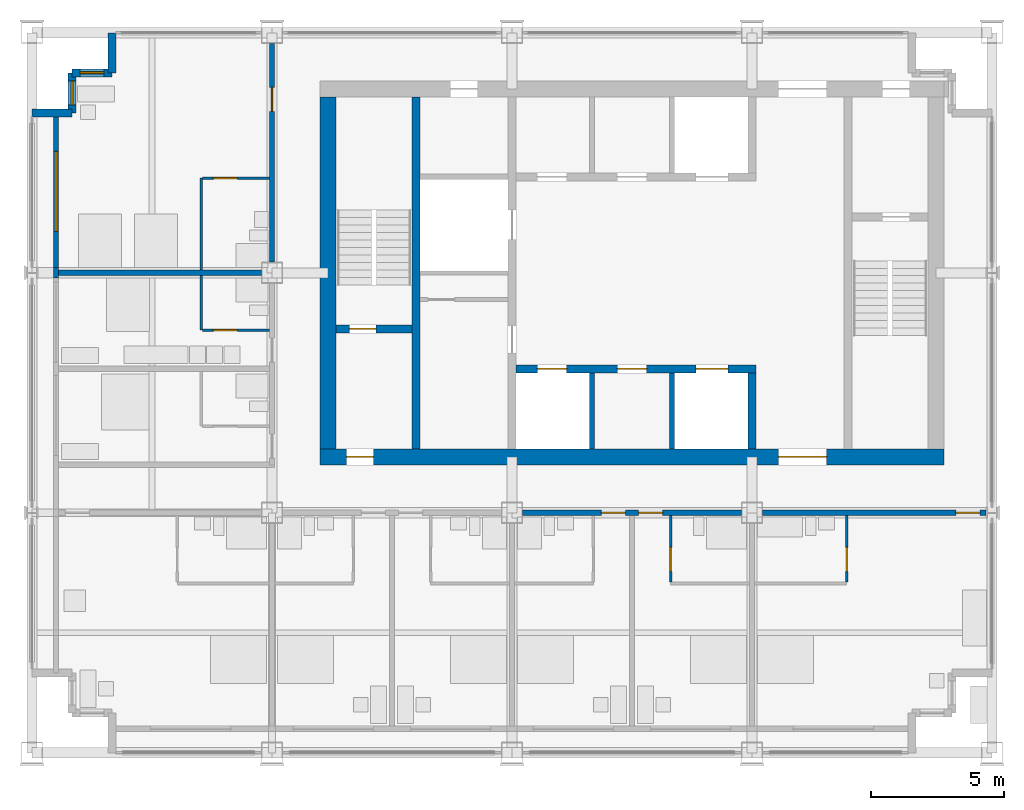
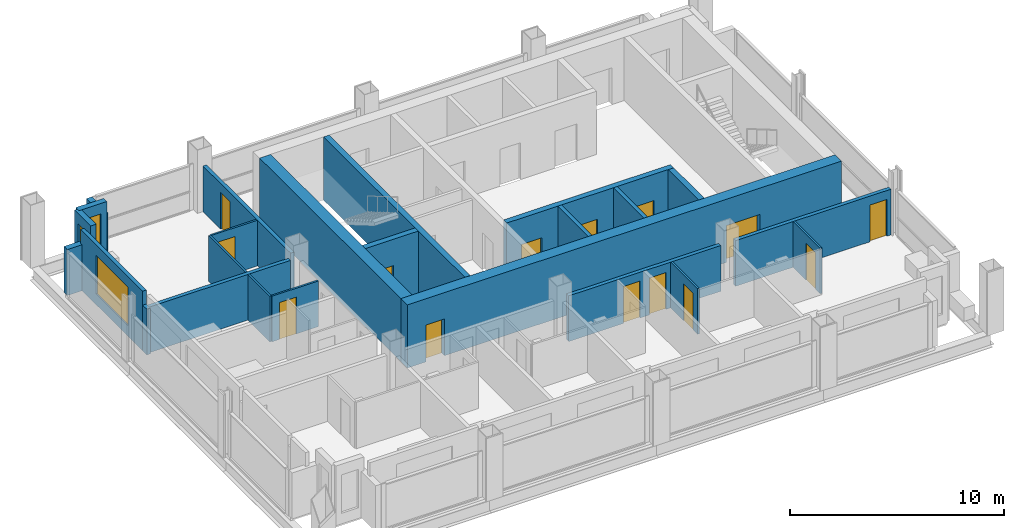
# One storey, part 7 of 12: 24 walls, 14 doors, 3 windows, 17 openings.
"""IFC4 building model written with IfcOpenShell, lengths in metres."""

from ifc_helpers import new_model, si_unit, direction, frame, frame_2d, origin, place, context, subcontext, project, spatial, rectangle, extrude, material, layer, layer_set, type_object, element, fill, save


model = new_model("IFC4")

# Units and contexts
model_context = context("Model", 3, precision=1e-05, world=origin(), true_north=direction((0.0, 1.0)))
body_context = subcontext(model_context, "Body", "Model", "MODEL_VIEW")
ifc_project = project(units=[si_unit("LENGTHUNIT", "METRE"), si_unit("AREAUNIT", "SQUARE_METRE"), si_unit("VOLUMEUNIT", "CUBIC_METRE"), si_unit("PLANEANGLEUNIT", "RADIAN"), si_unit("MASSUNIT", "GRAM", prefix="KILO")], contexts=[model_context])

# Site, building, storey
site_placement = place(None, origin())
site = spatial("IfcSite", under=ifc_project, at=site_placement, CompositionType="ELEMENT")
building_placement = place(site_placement, origin())
building = spatial("IfcBuilding", under=site, at=building_placement, Name="Loomwork Tower", CompositionType="ELEMENT")
storey_placement = place(building_placement, frame((0.0, 0.0, 255.39990234375)))
storey = spatial("IfcBuildingStorey", under=building, at=storey_placement, Name="L70", CompositionType="ELEMENT", Elevation=255.39990234375)

# Wall
ifc_material_1 = material(Name="Concrete 14000 psi (97 MPa)", Category="concrete")
ifc_layer_1 = layer(ifc_material_1, 0.300048828125)
ifc_layer_set_1 = layer_set([ifc_layer_1], Name="Core shear wall 300")
wall_type_1 = type_object("IfcWallType", Name="Core shear wall 300", PredefinedType="SHEAR", material=ifc_layer_set_1)
wall_1_placement = place(storey_placement, frame((14.39990234375, 11.39990234375, 0.0), z_axis=(0.0, 0.0, 1.0), x_axis=(0.0, 1.0, 0.0)))
element("IfcWall", 1, at=wall_1_placement, inside=storey, type_object=wall_type_1, Name="Stair A east wall L70", PredefinedType="SHEAR", context=body_context, shape_type="SweptSolid", body=[
    extrude(rectangle(XDim=13.2001953125, YDim=0.300048828125, at=frame_2d((6.60009765625, 0.0))), origin(), (0.0, 0.0, 1.0), 3.60009765625),
])

# Wall, opening, door
wall_2_placement = place(storey_placement, frame((11.39990234375, 15.89990234375, 0.0), z_axis=(0.0, 0.0, 1.0), x_axis=(1.0, 0.0, 0.0)))
wall_2 = element("IfcWall", 2, at=wall_2_placement, inside=storey, type_object=wall_type_1, Name="Stair A south wall L70", PredefinedType="SHEAR", context=body_context, shape_type="SweptSolid", body=[
    extrude(rectangle(XDim=2.85009765625, YDim=0.300048828125, at=frame_2d((1.425048828125, 0.0))), origin(), (0.0, 0.0, 1.0), 3.60009765625),
])
opening_1_placement = place(wall_2_placement, frame((0.5, 0.0, 0.0)))
opening_1 = element("IfcOpeningElement", 3, at=opening_1_placement, cuts=wall_2, Name="Opening D4", PredefinedType="OPENING", context=body_context, shape_type="SweptSolid", body=[
    extrude(rectangle(XDim=1.0, YDim=2.10009765625, at=frame_2d((0.5, 1.050048828125))), frame((0.0, 0.159912109375, 0.0), z_axis=(0.0, -1.0, 0.0), x_axis=(1.0, 0.0, 0.0)), (0.0, 0.0, 1.0), 0.320068359375),
])
ifc_material_2 = material(Name="Hollow metal door and frame")
door_type_1 = type_object("IfcDoorType", Name="Stair door 1000", OperationType="SINGLE_SWING_RIGHT", PredefinedType="DOOR", material=ifc_material_2)
door_1_placement = place(opening_1_placement, origin())
door_1 = element("IfcDoor", 4, at=door_1_placement, inside=storey, type_object=door_type_1, Name="Stair A door", OperationType="SINGLE_SWING_LEFT", OverallHeight=2.10009765625, OverallWidth=1.0, PredefinedType="DOOR", context=body_context, shape_type="SweptSolid", body=[
    extrude(rectangle(XDim=1.0, YDim=2.10009765625, at=frame_2d((0.5, 1.050048828125))), frame((0.0, 0.02490234375, 0.0), z_axis=(0.0, -1.0, 0.0), x_axis=(1.0, 0.0, 0.0)), (0.0, 0.0, 1.0), 0.050048828125),
])
fill(opening_1, door_1)

# Wall, openings, doors
wall_3_placement = place(storey_placement, frame((18.14990234375, 14.39990234375, 0.0), z_axis=(0.0, 0.0, 1.0), x_axis=(1.0, 0.0, 0.0)))
wall_3 = element("IfcWall", 5, at=wall_3_placement, inside=storey, type_object=wall_type_1, Name="Lift front wall south L70", PredefinedType="SHEAR", context=body_context, shape_type="SweptSolid", body=[
    extrude(rectangle(XDim=9.0, YDim=0.300048828125, at=frame_2d((4.5, 0.0))), origin(), (0.0, 0.0, 1.0), 3.60009765625),
])
opening_2_placement = place(wall_3_placement, frame((0.800048828125, 0.0, 0.0)))
opening_2 = element("IfcOpeningElement", 6, at=opening_2_placement, cuts=wall_3, Name="Opening LD1", PredefinedType="OPENING", context=body_context, shape_type="SweptSolid", body=[
    extrude(rectangle(XDim=1.10009765625, YDim=2.10009765625, at=frame_2d((0.550048828125, 1.050048828125))), frame((0.0, 0.159912109375, 0.0), z_axis=(0.0, -1.0, 0.0), x_axis=(1.0, 0.0, 0.0)), (0.0, 0.0, 1.0), 0.320068359375),
])
opening_3_placement = place(wall_3_placement, frame((6.75, 0.0, 0.0)))
opening_3 = element("IfcOpeningElement", 7, at=opening_3_placement, cuts=wall_3, Name="Opening LD2", PredefinedType="OPENING", context=body_context, shape_type="SweptSolid", body=[
    extrude(rectangle(XDim=1.199951171875, YDim=2.10009765625, at=frame_2d((0.60009765625, 1.050048828125))), frame((0.0, 0.159912109375, 0.0), z_axis=(0.0, -1.0, 0.0), x_axis=(1.0, 0.0, 0.0)), (0.0, 0.0, 1.0), 0.320068359375),
])
opening_4_placement = place(wall_3_placement, frame((3.800048828125, 0.0, 0.0)))
opening_4 = element("IfcOpeningElement", 8, at=opening_4_placement, cuts=wall_3, Name="Opening D17", PredefinedType="OPENING", context=body_context, shape_type="SweptSolid", body=[
    extrude(rectangle(XDim=1.10009765625, YDim=2.10009765625, at=frame_2d((0.550048828125, 1.050048828125))), frame((0.0, 0.159912109375, 0.0), z_axis=(0.0, -1.0, 0.0), x_axis=(1.0, 0.0, 0.0)), (0.0, 0.0, 1.0), 0.320068359375),
])
ifc_material_3 = material(Name="Hollow metal door and frame")
door_type_2 = type_object("IfcDoorType", Name="Lift landing door 1100", OperationType="SLIDING_TO_LEFT", PredefinedType="DOOR", material=ifc_material_3)
door_2_placement = place(opening_2_placement, origin())
door_2 = element("IfcDoor", 9, at=door_2_placement, inside=storey, type_object=door_type_2, Name="Lift landing door LC1", OperationType="SLIDING_TO_LEFT", OverallHeight=2.10009765625, OverallWidth=1.10009765625, PredefinedType="DOOR", context=body_context, shape_type="SweptSolid", body=[
    extrude(rectangle(XDim=1.10009765625, YDim=2.10009765625, at=frame_2d((0.550048828125, 1.050048828125))), frame((0.0, 0.02490234375, 0.0), z_axis=(0.0, -1.0, 0.0), x_axis=(1.0, 0.0, 0.0)), (0.0, 0.0, 1.0), 0.050048828125),
])
fill(opening_2, door_2)
ifc_material_4 = material(Name="Hollow metal door and frame")
door_type_3 = type_object("IfcDoorType", Name="Lift landing door 1200", OperationType="SLIDING_TO_LEFT", PredefinedType="DOOR", material=ifc_material_4)
door_3_placement = place(opening_3_placement, origin())
door_3 = element("IfcDoor", 10, at=door_3_placement, inside=storey, type_object=door_type_3, Name="Lift landing door LF1", OperationType="SLIDING_TO_LEFT", OverallHeight=2.10009765625, OverallWidth=1.199951171875, PredefinedType="DOOR", context=body_context, shape_type="SweptSolid", body=[
    extrude(rectangle(XDim=1.199951171875, YDim=2.10009765625, at=frame_2d((0.60009765625, 1.050048828125))), frame((0.0, 0.02490234375, 0.0), z_axis=(0.0, -1.0, 0.0), x_axis=(1.0, 0.0, 0.0)), (0.0, 0.0, 1.0), 0.050048828125),
])
fill(opening_3, door_3)
ifc_material_5 = material(Name="Hollow metal door and frame")
door_type_4 = type_object("IfcDoorType", Name="Service room door 1100", OperationType="SINGLE_SWING_LEFT", PredefinedType="DOOR", material=ifc_material_5)
door_4_placement = place(opening_4_placement, frame((1.10009765625, 0.0, 0.0), z_axis=(0.0, 0.0, 1.0), x_axis=(-1.0, 0.0, 0.0)))
door_4 = element("IfcDoor", 11, at=door_4_placement, inside=storey, type_object=door_type_4, Name="Guest pantry, ice and vending door L70", OperationType="SINGLE_SWING_RIGHT", OverallHeight=2.10009765625, OverallWidth=1.10009765625, PredefinedType="DOOR", context=body_context, shape_type="SweptSolid", body=[
    extrude(rectangle(XDim=1.10009765625, YDim=2.10009765625, at=frame_2d((0.550048828125, 1.050048828125))), frame((0.0, 0.02490234375, 0.0), z_axis=(0.0, -1.0, 0.0), x_axis=(1.0, 0.0, 0.0)), (0.0, 0.0, 1.0), 0.050048828125),
])
fill(opening_4, door_4)

# Wall
wall_4_placement = place(storey_placement, frame((27.0, 11.39990234375, 0.0), z_axis=(0.0, 0.0, 1.0), x_axis=(0.0, 1.0, 0.0)))
element("IfcWall", 12, at=wall_4_placement, inside=storey, type_object=wall_type_1, Name="Lift shaft end wall south L70", PredefinedType="SHEAR", context=body_context, shape_type="SweptSolid", body=[
    extrude(rectangle(XDim=2.85009765625, YDim=0.300048828125, at=frame_2d((1.425048828125, 0.0))), origin(), (0.0, 0.0, 1.0), 3.60009765625),
])

# Wall, openings, doors
ifc_material_6 = material(Name="Concrete 14000 psi (97 MPa)", Category="concrete")
ifc_layer_2 = layer(ifc_material_6, 0.60009765625)
ifc_layer_set_2 = layer_set([ifc_layer_2], Name="Core shear wall 600")
wall_type_2 = type_object("IfcWallType", Name="Core shear wall 600", PredefinedType="SHEAR", material=ifc_layer_set_2)
wall_5_placement = place(storey_placement, frame((10.800048828125, 11.10009765625, 0.0), z_axis=(0.0, 0.0, 1.0), x_axis=(1.0, 0.0, 0.0)))
wall_5 = element("IfcWall", 13, at=wall_5_placement, inside=storey, type_object=wall_type_2, Name="Core wall south L70", PredefinedType="SHEAR", context=body_context, shape_type="SweptSolid", body=[
    extrude(rectangle(XDim=23.39990234375, YDim=0.60009765625, at=frame_2d((11.699951171875, 0.0))), origin(), (0.0, 0.0, 1.0), 3.60009765625),
])
opening_5_placement = place(wall_5_placement, frame((1.0, 0.0, 0.0)))
opening_5 = element("IfcOpeningElement", 14, at=opening_5_placement, cuts=wall_5, Name="Opening D4", PredefinedType="OPENING", context=body_context, shape_type="SweptSolid", body=[
    extrude(rectangle(XDim=1.0, YDim=2.10009765625, at=frame_2d((0.5, 1.050048828125))), frame((0.0, 0.31005859375, 0.0), z_axis=(0.0, -1.0, 0.0), x_axis=(1.0, 0.0, 0.0)), (0.0, 0.0, 1.0), 0.6201171875),
])
opening_6_placement = place(wall_5_placement, frame((17.199951171875, 0.0, 0.0)))
opening_6 = element("IfcOpeningElement", 15, at=opening_6_placement, cuts=wall_5, Name="Opening D6", PredefinedType="OPENING", context=body_context, shape_type="SweptSolid", body=[
    extrude(rectangle(XDim=1.800048828125, YDim=2.10009765625, at=frame_2d((0.89990234375, 1.050048828125))), frame((0.0, 0.31005859375, 0.0), z_axis=(0.0, -1.0, 0.0), x_axis=(1.0, 0.0, 0.0)), (0.0, 0.0, 1.0), 0.6201171875),
])
ifc_material_7 = material(Name="Hollow metal door and frame")
door_type_5 = type_object("IfcDoorType", Name="Lobby passage double door 1800", OperationType="DOUBLE_DOOR_SINGLE_SWING", PredefinedType="DOOR", material=ifc_material_7)
door_5_placement = place(opening_6_placement, origin())
door_5 = element("IfcDoor", 16, at=door_5_placement, inside=storey, type_object=door_type_5, Name="Lobby passage door south", OperationType="DOUBLE_DOOR_SINGLE_SWING", OverallHeight=2.10009765625, OverallWidth=1.800048828125, PredefinedType="DOOR", context=body_context, shape_type="SweptSolid", body=[
    extrude(rectangle(XDim=1.800048828125, YDim=2.10009765625, at=frame_2d((0.89990234375, 1.050048828125))), frame((0.0, 0.02490234375, 0.0), z_axis=(0.0, -1.0, 0.0), x_axis=(1.0, 0.0, 0.0)), (0.0, 0.0, 1.0), 0.050048828125),
])
fill(opening_6, door_5)
door_6_placement = place(opening_5_placement, origin())
door_6 = element("IfcDoor", 17, at=door_6_placement, inside=storey, type_object=door_type_1, Name="Stair A vestibule door", OperationType="SINGLE_SWING_LEFT", OverallHeight=2.10009765625, OverallWidth=1.0, PredefinedType="DOOR", context=body_context, shape_type="SweptSolid", body=[
    extrude(rectangle(XDim=1.0, YDim=2.10009765625, at=frame_2d((0.5, 1.050048828125))), frame((0.0, 0.02490234375, 0.0), z_axis=(0.0, -1.0, 0.0), x_axis=(1.0, 0.0, 0.0)), (0.0, 0.0, 1.0), 0.050048828125),
])
fill(opening_5, door_6)

# Wall
wall_6_placement = place(storey_placement, frame((11.10009765625, 11.39990234375, 0.0), z_axis=(0.0, 0.0, 1.0), x_axis=(0.0, 1.0, 0.0)))
element("IfcWall", 18, at=wall_6_placement, inside=storey, type_object=wall_type_2, Name="Core wall west L70", PredefinedType="SHEAR", context=body_context, shape_type="SweptSolid", body=[
    extrude(rectangle(XDim=13.2001953125, YDim=0.60009765625, at=frame_2d((6.60009765625, 0.0))), origin(), (0.0, 0.0, 1.0), 3.60009765625),
])

# Wall, openings, doors
ifc_material_8 = material(Name="Gypsum board on steel studs, one-hour", Category="steel")
ifc_layer_3 = layer(ifc_material_8, 0.199951171875)
ifc_layer_set_3 = layer_set([ifc_layer_3], Name="Corridor wall 200")
wall_type_3 = type_object("IfcWallType", Name="Corridor wall 200", PredefinedType="PARTITIONING", material=ifc_layer_set_3)
wall_7_placement = place(storey_placement, frame((18.39990234375, 9.0, 0.0), z_axis=(0.0, 0.0, 1.0), x_axis=(1.0, 0.0, 0.0)))
wall_7 = element("IfcWall", 19, at=wall_7_placement, inside=storey, type_object=wall_type_3, Name="South corridor wall 3", PredefinedType="PARTITIONING", context=body_context, shape_type="SweptSolid", body=[
    extrude(rectangle(XDim=8.2001953125, YDim=0.199951171875, at=frame_2d((4.10009765625, 0.0))), origin(), (0.0, 0.0, 1.0), 2.60498046875),
])
opening_7_placement = place(wall_7_placement, frame((2.949951171875, 0.0, 0.0)))
opening_7 = element("IfcOpeningElement", 20, at=opening_7_placement, cuts=wall_7, Name="Opening D1", PredefinedType="OPENING", context=body_context, shape_type="SweptSolid", body=[
    extrude(rectangle(XDim=0.89990234375, YDim=2.10009765625, at=frame_2d((0.449951171875, 1.050048828125))), frame((0.0, 0.10986328125, 0.0), z_axis=(0.0, -1.0, 0.0), x_axis=(1.0, 0.0, 0.0)), (0.0, 0.0, 1.0), 0.219970703125),
])
opening_8_placement = place(wall_7_placement, frame((4.35009765625, 0.0, 0.0)))
opening_8 = element("IfcOpeningElement", 21, at=opening_8_placement, cuts=wall_7, Name="Opening D1", PredefinedType="OPENING", context=body_context, shape_type="SweptSolid", body=[
    extrude(rectangle(XDim=0.89990234375, YDim=2.10009765625, at=frame_2d((0.449951171875, 1.050048828125))), frame((0.0, 0.10986328125, 0.0), z_axis=(0.0, -1.0, 0.0), x_axis=(1.0, 0.0, 0.0)), (0.0, 0.0, 1.0), 0.219970703125),
])
ifc_material_9 = material(Name="Hollow metal door and frame")
door_type_6 = type_object("IfcDoorType", Name="Guest room entry door 900", OperationType="SINGLE_SWING_LEFT", PredefinedType="DOOR", material=ifc_material_9)
door_7_placement = place(opening_7_placement, frame((0.89990234375, 0.0, 0.0), z_axis=(0.0, 0.0, 1.0), x_axis=(-1.0, 0.0, 0.0)))
door_7 = element("IfcDoor", 22, at=door_7_placement, inside=storey, type_object=door_type_6, Name="Guest room entry door L70 4", OperationType="SINGLE_SWING_LEFT", OverallHeight=2.10009765625, OverallWidth=0.89990234375, PredefinedType="DOOR", context=body_context, shape_type="SweptSolid", body=[
    extrude(rectangle(XDim=0.89990234375, YDim=2.10009765625, at=frame_2d((0.449951171875, 1.050048828125))), frame((0.0, 0.02490234375, 0.0), z_axis=(0.0, -1.0, 0.0), x_axis=(1.0, 0.0, 0.0)), (0.0, 0.0, 1.0), 0.050048828125),
])
fill(opening_7, door_7)
door_8_placement = place(opening_8_placement, frame((0.89990234375, 0.0, 0.0), z_axis=(0.0, 0.0, 1.0), x_axis=(-1.0, 0.0, 0.0)))
door_8 = element("IfcDoor", 23, at=door_8_placement, inside=storey, type_object=door_type_6, Name="Guest room entry door L70 5", OperationType="SINGLE_SWING_RIGHT", OverallHeight=2.10009765625, OverallWidth=0.89990234375, PredefinedType="DOOR", context=body_context, shape_type="SweptSolid", body=[
    extrude(rectangle(XDim=0.89990234375, YDim=2.10009765625, at=frame_2d((0.449951171875, 1.050048828125))), frame((0.0, 0.02490234375, 0.0), z_axis=(0.0, -1.0, 0.0), x_axis=(1.0, 0.0, 0.0)), (0.0, 0.0, 1.0), 0.050048828125),
])
fill(opening_8, door_8)

# Wall, opening, door
wall_8_placement = place(storey_placement, frame((27.39990234375, 9.0, 0.0), z_axis=(0.0, 0.0, 1.0), x_axis=(1.0, 0.0, 0.0)))
wall_8 = element("IfcWall", 24, at=wall_8_placement, inside=storey, type_object=wall_type_3, Name="South corridor wall 4", PredefinedType="PARTITIONING", context=body_context, shape_type="SweptSolid", body=[
    extrude(rectangle(XDim=8.377685546875, YDim=0.199951171875, at=frame_2d((4.18896484375, 0.0))), origin(), (0.0, 0.0, 1.0), 2.60498046875),
])
opening_9_placement = place(wall_8_placement, frame((7.25, 0.0, 0.0)))
opening_9 = element("IfcOpeningElement", 25, at=opening_9_placement, cuts=wall_8, Name="Opening D1", PredefinedType="OPENING", context=body_context, shape_type="SweptSolid", body=[
    extrude(rectangle(XDim=0.89990234375, YDim=2.10009765625, at=frame_2d((0.449951171875, 1.050048828125))), frame((0.0, 0.10986328125, 0.0), z_axis=(0.0, -1.0, 0.0), x_axis=(1.0, 0.0, 0.0)), (0.0, 0.0, 1.0), 0.219970703125),
])
door_9_placement = place(opening_9_placement, frame((0.89990234375, 0.0, 0.0), z_axis=(0.0, 0.0, 1.0), x_axis=(-1.0, 0.0, 0.0)))
door_9 = element("IfcDoor", 26, at=door_9_placement, inside=storey, type_object=door_type_6, Name="Guest room entry door L70 6", OperationType="SINGLE_SWING_RIGHT", OverallHeight=2.10009765625, OverallWidth=0.89990234375, PredefinedType="DOOR", context=body_context, shape_type="SweptSolid", body=[
    extrude(rectangle(XDim=0.89990234375, YDim=2.10009765625, at=frame_2d((0.449951171875, 1.050048828125))), frame((0.0, 0.02490234375, 0.0), z_axis=(0.0, -1.0, 0.0), x_axis=(1.0, 0.0, 0.0)), (0.0, 0.0, 1.0), 0.050048828125),
])
fill(opening_9, door_9)

wall_9_placement = place(storey_placement, frame((9.0, 18.39990234375, 0.0), z_axis=(0.0, 0.0, 1.0), x_axis=(0.0, 1.0, 0.0)))
wall_9 = element("IfcWall", 27, at=wall_9_placement, inside=storey, type_object=wall_type_3, Name="West corridor wall 2", PredefinedType="PARTITIONING", context=body_context, shape_type="SweptSolid", body=[
    extrude(rectangle(XDim=8.2001953125, YDim=0.199951171875, at=frame_2d((4.10009765625, 0.0))), origin(), (0.0, 0.0, 1.0), 2.60498046875),
])
opening_10_placement = place(wall_9_placement, frame((5.64990234375, 0.0, 0.0)))
opening_10 = element("IfcOpeningElement", 28, at=opening_10_placement, cuts=wall_9, Name="Opening D1", PredefinedType="OPENING", context=body_context, shape_type="SweptSolid", body=[
    extrude(rectangle(XDim=0.89990234375, YDim=2.10009765625, at=frame_2d((0.449951171875, 1.050048828125))), frame((0.0, 0.10986328125, 0.0), z_axis=(0.0, -1.0, 0.0), x_axis=(1.0, 0.0, 0.0)), (0.0, 0.0, 1.0), 0.219970703125),
])
door_10_placement = place(opening_10_placement, origin())
door_10 = element("IfcDoor", 29, at=door_10_placement, inside=storey, type_object=door_type_6, Name="Guest room entry door L70 9", OperationType="SINGLE_SWING_RIGHT", OverallHeight=2.10009765625, OverallWidth=0.89990234375, PredefinedType="DOOR", context=body_context, shape_type="SweptSolid", body=[
    extrude(rectangle(XDim=0.89990234375, YDim=2.10009765625, at=frame_2d((0.449951171875, 1.050048828125))), frame((0.0, 0.02490234375, 0.0), z_axis=(0.0, -1.0, 0.0), x_axis=(1.0, 0.0, 0.0)), (0.0, 0.0, 1.0), 0.050048828125),
])
fill(opening_10, door_10)

ifc_material_10 = material(Name="Cement board on steel studs", Category="steel")
ifc_layer_4 = layer(ifc_material_10, 0.10009765625)
ifc_layer_set_4 = layer_set([ifc_layer_4], Name="En-suite partition 100")
wall_type_4 = type_object("IfcWallType", Name="En-suite partition 100", PredefinedType="PARTITIONING", material=ifc_layer_set_4)
wall_10_placement = place(storey_placement, frame((23.949951171875, 8.89990234375, 0.0), z_axis=(0.0, 0.0, 1.0), x_axis=(0.0, -1.0, 0.0)))
wall_10 = element("IfcWall", 30, at=wall_10_placement, inside=storey, type_object=wall_type_4, Name="En-suite side wall L70 room 5", PredefinedType="PARTITIONING", context=body_context, shape_type="SweptSolid", body=[
    extrude(rectangle(XDim=2.5, YDim=0.10009765625, at=frame_2d((1.25, 0.0))), origin(), (0.0, 0.0, 1.0), 2.60400390625),
])
opening_11_placement = place(wall_10_placement, frame((1.199951171875, 0.0, 0.0)))
opening_11 = element("IfcOpeningElement", 31, at=opening_11_placement, cuts=wall_10, Name="Opening D3", PredefinedType="OPENING", context=body_context, shape_type="SweptSolid", body=[
    extrude(rectangle(XDim=0.89990234375, YDim=2.10009765625, at=frame_2d((0.449951171875, 1.050048828125))), frame((0.0, 0.06005859375, 0.0), z_axis=(0.0, -1.0, 0.0), x_axis=(1.0, 0.0, 0.0)), (0.0, 0.0, 1.0), 0.1201171875),
])
ifc_material_11 = material(Name="Hollow metal door and frame")
door_type_7 = type_object("IfcDoorType", Name="Accessible en-suite door 900", OperationType="SLIDING_TO_LEFT", PredefinedType="DOOR", material=ifc_material_11)
door_11_placement = place(opening_11_placement, origin())
door_11 = element("IfcDoor", 32, at=door_11_placement, inside=storey, type_object=door_type_7, Name="Accessible en-suite door room 5", OperationType="SLIDING_TO_LEFT", OverallHeight=2.10009765625, OverallWidth=0.89990234375, PredefinedType="DOOR", context=body_context, shape_type="SweptSolid", body=[
    extrude(rectangle(XDim=0.89990234375, YDim=2.10009765625, at=frame_2d((0.449951171875, 1.050048828125))), frame((0.0, 0.02490234375, 0.0), z_axis=(0.0, -1.0, 0.0), x_axis=(1.0, 0.0, 0.0)), (0.0, 0.0, 1.0), 0.050048828125),
])
fill(opening_11, door_11)

wall_11_placement = place(storey_placement, frame((30.550048828125, 8.89990234375, 0.0), z_axis=(0.0, 0.0, 1.0), x_axis=(0.0, -1.0, 0.0)))
wall_11 = element("IfcWall", 33, at=wall_11_placement, inside=storey, type_object=wall_type_4, Name="En-suite side wall L70 room 6", PredefinedType="PARTITIONING", context=body_context, shape_type="SweptSolid", body=[
    extrude(rectangle(XDim=2.5, YDim=0.10009765625, at=frame_2d((1.25, 0.0))), origin(), (0.0, 0.0, 1.0), 2.60400390625),
])
opening_12_placement = place(wall_11_placement, frame((1.199951171875, 0.0, 0.0)))
opening_12 = element("IfcOpeningElement", 34, at=opening_12_placement, cuts=wall_11, Name="Opening D2", PredefinedType="OPENING", context=body_context, shape_type="SweptSolid", body=[
    extrude(rectangle(XDim=0.89990234375, YDim=2.10009765625, at=frame_2d((0.449951171875, 1.050048828125))), frame((0.0, 0.06005859375, 0.0), z_axis=(0.0, -1.0, 0.0), x_axis=(1.0, 0.0, 0.0)), (0.0, 0.0, 1.0), 0.1201171875),
])
ifc_material_12 = material(Name="Hollow metal door and frame")
door_type_8 = type_object("IfcDoorType", Name="En-suite door 900", OperationType="SINGLE_SWING_LEFT", PredefinedType="DOOR", material=ifc_material_12)
door_12_placement = place(opening_12_placement, frame((0.89990234375, 0.0, 0.0), z_axis=(0.0, 0.0, 1.0), x_axis=(-1.0, 0.0, 0.0)))
door_12 = element("IfcDoor", 35, at=door_12_placement, inside=storey, type_object=door_type_8, Name="En-suite door room 6", OperationType="SINGLE_SWING_LEFT", OverallHeight=2.10009765625, OverallWidth=0.89990234375, PredefinedType="DOOR", context=body_context, shape_type="SweptSolid", body=[
    extrude(rectangle(XDim=0.89990234375, YDim=2.10009765625, at=frame_2d((0.449951171875, 1.050048828125))), frame((0.0, 0.02490234375, 0.0), z_axis=(0.0, -1.0, 0.0), x_axis=(1.0, 0.0, 0.0)), (0.0, 0.0, 1.0), 0.050048828125),
])
fill(opening_12, door_12)

# Wall
wall_12_placement = place(storey_placement, frame((6.35009765625, 15.85009765625, 0.0), z_axis=(0.0, 0.0, 1.0), x_axis=(0.0, 1.0, 0.0)))
element("IfcWall", 36, at=wall_12_placement, inside=storey, type_object=wall_type_4, Name="En-suite wall L70 room 8", PredefinedType="PARTITIONING", context=body_context, shape_type="SweptSolid", body=[
    extrude(rectangle(XDim=2.0498046875, YDim=0.10009765625, at=frame_2d((1.02490234375, 0.0))), origin(), (0.0, 0.0, 1.0), 2.60400390625),
])

# Wall, opening, door
wall_13_placement = place(storey_placement, frame((8.89990234375, 15.85009765625, 0.0), z_axis=(0.0, 0.0, 1.0), x_axis=(-1.0, 0.0, 0.0)))
wall_13 = element("IfcWall", 37, at=wall_13_placement, inside=storey, type_object=wall_type_4, Name="En-suite side wall L70 room 8", PredefinedType="PARTITIONING", context=body_context, shape_type="SweptSolid", body=[
    extrude(rectangle(XDim=2.5, YDim=0.10009765625, at=frame_2d((1.25, 0.0))), origin(), (0.0, 0.0, 1.0), 2.60400390625),
])
opening_13_placement = place(wall_13_placement, frame((1.199951171875, 0.0, 0.0)))
opening_13 = element("IfcOpeningElement", 38, at=opening_13_placement, cuts=wall_13, Name="Opening D2", PredefinedType="OPENING", context=body_context, shape_type="SweptSolid", body=[
    extrude(rectangle(XDim=0.89990234375, YDim=2.10009765625, at=frame_2d((0.449951171875, 1.050048828125))), frame((0.0, 0.06005859375, 0.0), z_axis=(0.0, -1.0, 0.0), x_axis=(1.0, 0.0, 0.0)), (0.0, 0.0, 1.0), 0.1201171875),
])
door_13_placement = place(opening_13_placement, frame((0.89990234375, 0.0, 0.0), z_axis=(0.0, 0.0, 1.0), x_axis=(-1.0, 0.0, 0.0)))
door_13 = element("IfcDoor", 39, at=door_13_placement, inside=storey, type_object=door_type_8, Name="En-suite door room 8", OperationType="SINGLE_SWING_LEFT", OverallHeight=2.10009765625, OverallWidth=0.89990234375, PredefinedType="DOOR", context=body_context, shape_type="SweptSolid", body=[
    extrude(rectangle(XDim=0.89990234375, YDim=2.10009765625, at=frame_2d((0.449951171875, 1.050048828125))), frame((0.0, 0.02490234375, 0.0), z_axis=(0.0, -1.0, 0.0), x_axis=(1.0, 0.0, 0.0)), (0.0, 0.0, 1.0), 0.050048828125),
])
fill(opening_13, door_13)

# Wall
wall_14_placement = place(storey_placement, frame((6.35009765625, 18.10009765625, 0.0), z_axis=(0.0, 0.0, 1.0), x_axis=(0.0, 1.0, 0.0)))
element("IfcWall", 40, at=wall_14_placement, inside=storey, type_object=wall_type_4, Name="En-suite wall L70 room 9", PredefinedType="PARTITIONING", context=body_context, shape_type="SweptSolid", body=[
    extrude(rectangle(XDim=3.449951171875, YDim=0.10009765625, at=frame_2d((1.72509765625, 0.0))), origin(), (0.0, 0.0, 1.0), 2.60400390625),
])

# Wall, opening, door
wall_15_placement = place(storey_placement, frame((8.89990234375, 21.550048828125, 0.0), z_axis=(0.0, 0.0, 1.0), x_axis=(-1.0, 0.0, 0.0)))
wall_15 = element("IfcWall", 41, at=wall_15_placement, inside=storey, type_object=wall_type_4, Name="En-suite side wall L70 room 9", PredefinedType="PARTITIONING", context=body_context, shape_type="SweptSolid", body=[
    extrude(rectangle(XDim=2.5, YDim=0.10009765625, at=frame_2d((1.25, 0.0))), origin(), (0.0, 0.0, 1.0), 2.60400390625),
])
opening_14_placement = place(wall_15_placement, frame((1.199951171875, 0.0, 0.0)))
opening_14 = element("IfcOpeningElement", 42, at=opening_14_placement, cuts=wall_15, Name="Opening D2", PredefinedType="OPENING", context=body_context, shape_type="SweptSolid", body=[
    extrude(rectangle(XDim=0.89990234375, YDim=2.10009765625, at=frame_2d((0.449951171875, 1.050048828125))), frame((0.0, 0.06005859375, 0.0), z_axis=(0.0, -1.0, 0.0), x_axis=(1.0, 0.0, 0.0)), (0.0, 0.0, 1.0), 0.1201171875),
])
door_14_placement = place(opening_14_placement, origin())
door_14 = element("IfcDoor", 43, at=door_14_placement, inside=storey, type_object=door_type_8, Name="En-suite door room 9", OperationType="SINGLE_SWING_RIGHT", OverallHeight=2.10009765625, OverallWidth=0.89990234375, PredefinedType="DOOR", context=body_context, shape_type="SweptSolid", body=[
    extrude(rectangle(XDim=0.89990234375, YDim=2.10009765625, at=frame_2d((0.449951171875, 1.050048828125))), frame((0.0, 0.02490234375, 0.0), z_axis=(0.0, -1.0, 0.0), x_axis=(1.0, 0.0, 0.0)), (0.0, 0.0, 1.0), 0.050048828125),
])
fill(opening_14, door_14)

# Walls
ifc_material_13 = material(Name="Gypsum board on steel studs, acoustic", Category="steel")
ifc_layer_5 = layer(ifc_material_13, 0.199951171875)
ifc_layer_set_5 = layer_set([ifc_layer_5], Name="Guest room party wall 200")
wall_type_5 = type_object("IfcWallType", Name="Guest room party wall 200", PredefinedType="PARTITIONING", material=ifc_layer_set_5)
wall_16_placement = place(storey_placement, frame((8.60009765625, 18.0, 0.0), z_axis=(0.0, 0.0, 1.0), x_axis=(-1.0, 0.0, 0.0)))
element("IfcWall", 44, at=wall_16_placement, inside=storey, type_object=wall_type_5, Name="Guest room party wall W 18", PredefinedType="PARTITIONING", context=body_context, shape_type="SweptSolid", body=[
    extrude(rectangle(XDim=7.60009765625, YDim=0.199951171875, at=frame_2d((3.800048828125, 0.0))), origin(), (0.0, 0.0, 1.0), 2.60498046875),
])
ifc_material_14 = material(Name="Insulated steel stud wall with gypsum lining", Category="steel")
ifc_layer_6 = layer(ifc_material_14, 0.199951171875)
ifc_layer_set_6 = layer_set([ifc_layer_6], Name="Inner skin wall 200")
wall_type_6 = type_object("IfcWallType", Name="Inner skin wall 200", PredefinedType="SOLIDWALL", material=ifc_layer_set_6)
wall_17_placement = place(storey_placement, frame((0.89990234375, 17.80615234375, 0.0), z_axis=(0.0, 0.0, 1.0), x_axis=(0.0, 1.0, 0.0)))
element("IfcWall", 45, at=wall_17_placement, inside=storey, type_object=wall_type_6, Name="Inner skin wall W bay 6", PredefinedType="SOLIDWALL", context=body_context, shape_type="SweptSolid", body=[
    extrude(rectangle(XDim=0.3876953125, YDim=0.199951171875, at=frame_2d((0.19384765625, 0.0))), origin(), (0.0, 0.0, 1.0), 2.60400390625),
])

# Wall, opening, window
wall_18_placement = place(storey_placement, frame((0.89990234375, 18.19384765625, 0.0), z_axis=(0.0, 0.0, 1.0), x_axis=(0.0, 1.0, 0.0)))
wall_18 = element("IfcWall", 46, at=wall_18_placement, inside=storey, type_object=wall_type_6, Name="Inner skin wall W bay 7", PredefinedType="SOLIDWALL", context=body_context, shape_type="SweptSolid", body=[
    extrude(rectangle(XDim=5.80615234375, YDim=0.199951171875, at=frame_2d((2.903076171875, 0.0))), origin(), (0.0, 0.0, 1.0), 3.400146484375),
])
opening_15_placement = place(wall_18_placement, frame((1.356201171875, 0.0, 0.60009765625)))
opening_15 = element("IfcOpeningElement", 47, at=opening_15_placement, cuts=wall_18, Name="Opening CH1", PredefinedType="OPENING", context=body_context, shape_type="SweptSolid", body=[
    extrude(rectangle(XDim=3.0, YDim=2.199951171875, at=frame_2d((1.5, 1.10009765625))), frame((0.0, 0.10986328125, 0.0), z_axis=(0.0, -1.0, 0.0), x_axis=(1.0, 0.0, 0.0)), (0.0, 0.0, 1.0), 0.219970703125),
])
ifc_material_15 = material(Name="Aluminium frame with clear insulated glass", Category="aluminium")
window_type_1 = type_object("IfcWindowType", Name="Chicago window 3000", PartitioningType="TRIPLE_PANEL_VERTICAL", PredefinedType="WINDOW", material=ifc_material_15)
window_1_placement = place(opening_15_placement, origin())
window_1 = element("IfcWindow", 48, at=window_1_placement, inside=storey, type_object=window_type_1, Name="Chicago window L70 bay 6", OverallHeight=2.199951171875, OverallWidth=3.0, PartitioningType="TRIPLE_PANEL_VERTICAL", PredefinedType="WINDOW", context=body_context, shape_type="SweptSolid", body=[
    extrude(rectangle(XDim=3.0, YDim=2.199951171875, at=frame_2d((1.5, 1.10009765625))), frame((0.0, 0.030029296875, 0.0), z_axis=(0.0, -1.0, 0.0), x_axis=(1.0, 0.0, 0.0)), (0.0, 0.0, 1.0), 0.06005859375),
])
fill(opening_15, window_1)

# Walls
ifc_material_16 = material(Name="Concrete 14000 psi (97 MPa)", Category="concrete")
ifc_layer_7 = layer(ifc_material_16, 0.199951171875)
ifc_layer_set_7 = layer_set([ifc_layer_7], Name="Lift shaft wall 200")
wall_type_7 = type_object("IfcWallType", Name="Lift shaft wall 200", PredefinedType="SHEAR", material=ifc_layer_set_7)
for number, where, z_axis, x_axis, name in (
    (49, (21.0, 11.39990234375, 0.0), (0.0, 0.0, 1.0), (0.0, 1.0, 0.0), "Lift shaft separation wall south 1 L70"),
    (50, (24.0, 11.39990234375, 0.0), (0.0, 0.0, 1.0), (0.0, 1.0, 0.0), "Lift shaft separation wall south 2 L70"),
):
    element("IfcWall", number, at=place(storey_placement, frame(where, z_axis=z_axis, x_axis=x_axis)), inside=storey, type_object=wall_type_7, Name=name, PredefinedType="SHEAR", context=body_context, shape_type="SweptSolid", body=[
        extrude(rectangle(XDim=2.85009765625, YDim=0.199951171875, at=frame_2d((1.425048828125, 0.0))), origin(), (0.0, 0.0, 1.0), 3.60009765625),
    ])
ifc_material_17 = material(Name="Limestone on concrete masonry", Category="masonry")
ifc_layer_8 = layer(ifc_material_17, 0.300048828125)
ifc_layer_set_8 = layer_set([ifc_layer_8], Name="Limestone corner wall 300")
wall_type_8 = type_object("IfcWallType", Name="Limestone corner wall 300", PredefinedType="SOLIDWALL", material=ifc_layer_set_8)
wall_19_placement = place(storey_placement, frame((3.0, 27.0, 0.0), z_axis=(0.0, 0.0, 1.0), x_axis=(0.0, -1.0, 0.0)))
element("IfcWall", 51, at=wall_19_placement, inside=storey, type_object=wall_type_8, Name="Stone corner wall NW 1", PredefinedType="SOLIDWALL", context=body_context, shape_type="SweptSolid", body=[
    extrude(rectangle(XDim=1.5, YDim=0.300048828125, at=frame_2d((0.75, 0.0))), origin(), (0.0, 0.0, 1.0), 2.6201171875),
])

# Wall, opening, window
wall_20_placement = place(storey_placement, frame((3.0, 25.5, 0.0), z_axis=(0.0, 0.0, 1.0), x_axis=(-1.0, 0.0, 0.0)))
wall_20 = element("IfcWall", 52, at=wall_20_placement, inside=storey, type_object=wall_type_8, Name="Stone corner wall NW 2", PredefinedType="SOLIDWALL", context=body_context, shape_type="SweptSolid", body=[
    extrude(rectangle(XDim=1.5, YDim=0.300048828125, at=frame_2d((0.75, 0.0))), origin(), (0.0, 0.0, 1.0), 3.400146484375),
])
opening_16_placement = place(wall_20_placement, frame((0.300048828125, 0.0, 0.60009765625)))
opening_16 = element("IfcOpeningElement", 53, at=opening_16_placement, cuts=wall_20, Name="Opening CH2", PredefinedType="OPENING", context=body_context, shape_type="SweptSolid", body=[
    extrude(rectangle(XDim=0.89990234375, YDim=2.199951171875, at=frame_2d((0.449951171875, 1.10009765625))), frame((0.0, 0.159912109375, 0.0), z_axis=(0.0, -1.0, 0.0), x_axis=(1.0, 0.0, 0.0)), (0.0, 0.0, 1.0), 0.320068359375),
])
ifc_material_18 = material(Name="Aluminium frame with clear insulated glass", Category="aluminium")
window_type_2 = type_object("IfcWindowType", Name="Corner window 900", PartitioningType="SINGLE_PANEL", PredefinedType="WINDOW", material=ifc_material_18)
window_2_placement = place(opening_16_placement, origin())
window_2 = element("IfcWindow", 54, at=window_2_placement, inside=storey, type_object=window_type_2, Name="Corner window NW", OverallHeight=2.199951171875, OverallWidth=0.89990234375, PartitioningType="SINGLE_PANEL", PredefinedType="WINDOW", context=body_context, shape_type="SweptSolid", body=[
    extrude(rectangle(XDim=0.89990234375, YDim=2.199951171875, at=frame_2d((0.449951171875, 1.10009765625))), frame((0.0, 0.030029296875, 0.0), z_axis=(0.0, -1.0, 0.0), x_axis=(1.0, 0.0, 0.0)), (0.0, 0.0, 1.0), 0.06005859375),
])
fill(opening_16, window_2)

wall_21_placement = place(storey_placement, frame((1.5, 25.5, 0.0), z_axis=(0.0, 0.0, 1.0), x_axis=(0.0, -1.0, 0.0)))
wall_21 = element("IfcWall", 55, at=wall_21_placement, inside=storey, type_object=wall_type_8, Name="Stone corner wall NW 3", PredefinedType="SOLIDWALL", context=body_context, shape_type="SweptSolid", body=[
    extrude(rectangle(XDim=1.5, YDim=0.300048828125, at=frame_2d((0.75, 0.0))), origin(), (0.0, 0.0, 1.0), 3.400146484375),
])
opening_17_placement = place(wall_21_placement, frame((0.300048828125, 0.0, 0.60009765625)))
opening_17 = element("IfcOpeningElement", 56, at=opening_17_placement, cuts=wall_21, Name="Opening CH2", PredefinedType="OPENING", context=body_context, shape_type="SweptSolid", body=[
    extrude(rectangle(XDim=0.89990234375, YDim=2.199951171875, at=frame_2d((0.449951171875, 1.10009765625))), frame((0.0, 0.159912109375, 0.0), z_axis=(0.0, -1.0, 0.0), x_axis=(1.0, 0.0, 0.0)), (0.0, 0.0, 1.0), 0.320068359375),
])
window_3_placement = place(opening_17_placement, origin())
window_3 = element("IfcWindow", 57, at=window_3_placement, inside=storey, type_object=window_type_2, Name="Corner window NW", OverallHeight=2.199951171875, OverallWidth=0.89990234375, PartitioningType="SINGLE_PANEL", PredefinedType="WINDOW", context=body_context, shape_type="SweptSolid", body=[
    extrude(rectangle(XDim=0.89990234375, YDim=2.199951171875, at=frame_2d((0.449951171875, 1.10009765625))), frame((0.0, 0.030029296875, 0.0), z_axis=(0.0, -1.0, 0.0), x_axis=(1.0, 0.0, 0.0)), (0.0, 0.0, 1.0), 0.06005859375),
])
fill(opening_17, window_3)

# Wall
wall_22_placement = place(storey_placement, frame((1.5, 24.0, 0.0), z_axis=(0.0, 0.0, 1.0), x_axis=(-1.0, 0.0, 0.0)))
element("IfcWall", 58, at=wall_22_placement, inside=storey, type_object=wall_type_8, Name="Stone corner wall NW 4", PredefinedType="SOLIDWALL", context=body_context, shape_type="SweptSolid", body=[
    extrude(rectangle(XDim=1.5, YDim=0.300048828125, at=frame_2d((0.75, 0.0))), origin(), (0.0, 0.0, 1.0), 2.6201171875),
])

save(model, "model.ifc")
